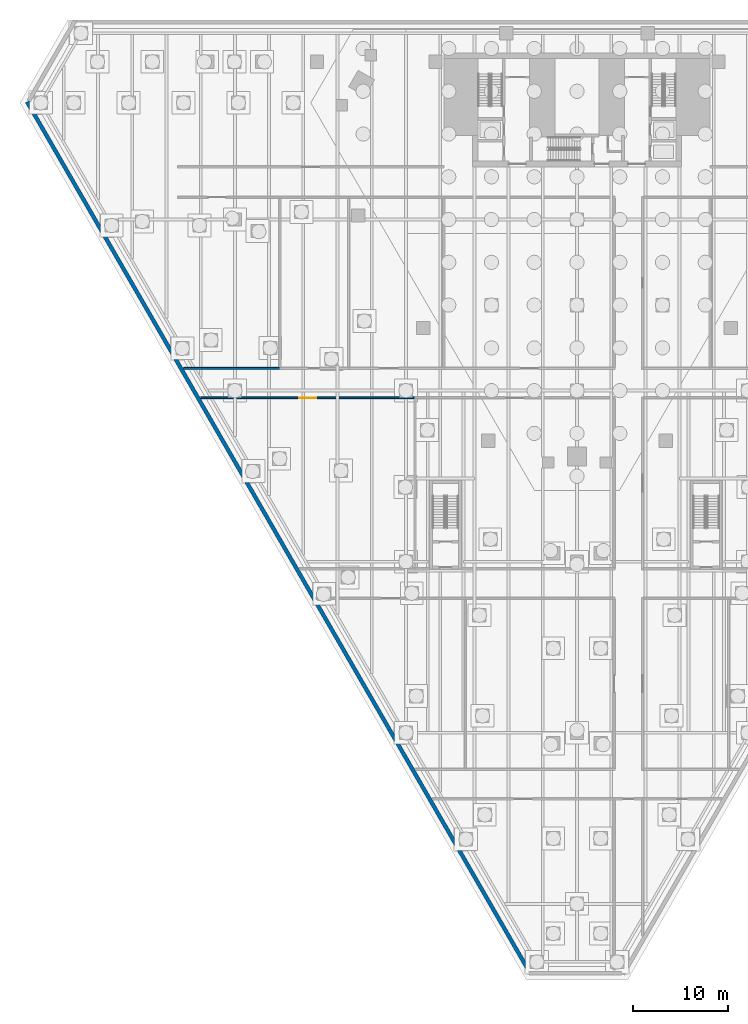
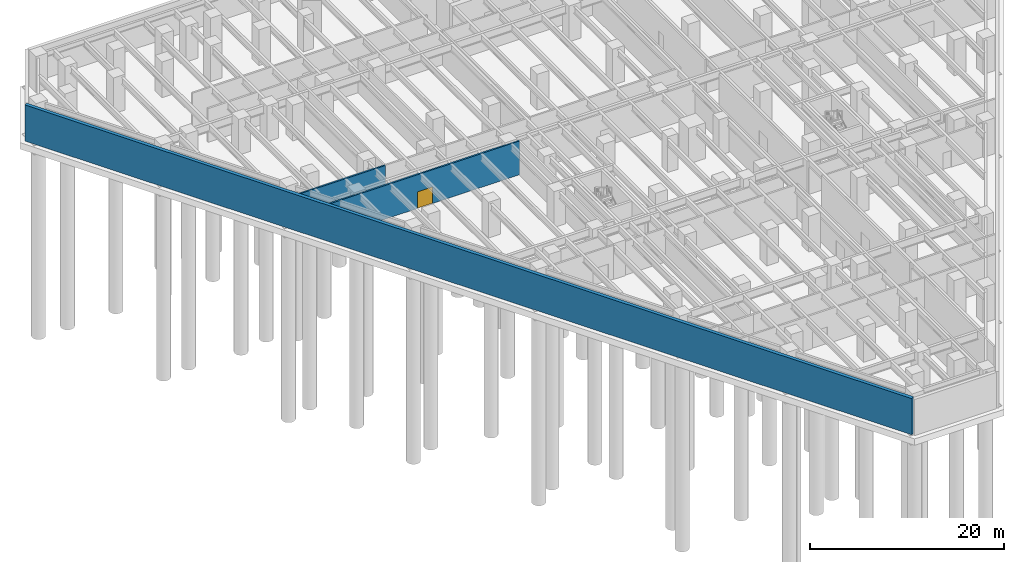
# One storey, part 8 of 18: 3 walls, 1 door, 1 opening.
"""IFC4 building model written with IfcOpenShell, lengths in metres."""

import ifcopenshell
import ifcopenshell.guid

model = None  # the IFC model being written
_history = None  # IfcOwnerHistory: only IFC2X3 demands one
_inside = {}  # id of a spatial element -> (the spatial element, [elements in it])
_under = {}  # id of a project, library or spatial element -> (it, [spatial elements below it])
_declared = {}  # id of a project -> (the project, [libraries it declares])
_typed = {}  # id of a type object -> (the type object, [elements of that type])
_made_of = {}  # id of a material, layer set ... -> (it, [elements and type objects made of it])


def new_model(schema):
    """Start an empty IFC model of exactly this schema.

    Asked for "IFC4X3", IfcOpenShell would pick the latest addendum, in which some entities
    have other attributes; the version numbers below select the first issue.
    IFC2X3 requires an IfcOwnerHistory on every rooted entity: one is made here for all.
    """
    global model, _history
    if schema == "IFC4X3":
        model = ifcopenshell.file(schema_version=(4, 3, 0, 0))
    else:
        model = ifcopenshell.file(schema=schema)
    _inside.clear()
    _under.clear()
    _declared.clear()
    _typed.clear()
    _made_of.clear()
    _history = None
    if model.schema == "IFC2X3":
        org = make("IfcOrganization", Name="unknown")
        user = make(
            "IfcPersonAndOrganization",
            ThePerson=make("IfcPerson", FamilyName="unknown"),
            TheOrganization=org,
        )
        app = make(
            "IfcApplication",
            ApplicationDeveloper=org,
            Version="unknown",
            ApplicationFullName="unknown",
            ApplicationIdentifier="unknown",
        )
        _history = make(
            "IfcOwnerHistory",
            OwningUser=user,
            OwningApplication=app,
            ChangeAction="ADDED",
            CreationDate=0,
        )
    return model


def make(cls, **values):
    """One entity of the class cls with the attributes given. An attribute that is None is left unset."""
    return model.create_entity(
        cls, **{name: value for name, value in values.items() if value is not None}
    )


def rooted(cls, **values):
    """An entity with a GlobalId (a new one), such as an element, a storey or a relation."""
    return make(cls, GlobalId=ifcopenshell.guid.new(), OwnerHistory=_history, **values)


def si_unit(unit_type, name, prefix=None):
    """IfcSIUnit, for example si_unit("LENGTHUNIT", "METRE", prefix="MILLI")."""
    return make("IfcSIUnit", UnitType=unit_type, Prefix=prefix, Name=name)


def assignment(units):
    """IfcUnitAssignment: the units of a project."""
    return None if units is None else make("IfcUnitAssignment", Units=units)


def point(xyz):
    """IfcCartesianPoint."""
    return None if xyz is None else make("IfcCartesianPoint", Coordinates=xyz)


def direction(xyz):
    """IfcDirection."""
    return None if xyz is None else make("IfcDirection", DirectionRatios=xyz)


def frame(location, z_axis=None, x_axis=None):
    """IfcAxis2Placement3D, a coordinate frame: its origin and axes. An axis left out is left unset."""
    return make(
        "IfcAxis2Placement3D",
        Location=point(location),
        Axis=direction(z_axis),
        RefDirection=direction(x_axis),
    )


def frame_2d(location, x_axis=None):
    """IfcAxis2Placement2D, a coordinate frame in the plane: its origin and x axis."""
    return make(
        "IfcAxis2Placement2D", Location=point(location), RefDirection=direction(x_axis)
    )


def origin():
    """The frame at (0, 0, 0) with its axes left unset."""
    return frame((0.0, 0.0, 0.0))


def place(relative_to, where):
    """IfcLocalPlacement: puts the frame where relative to a parent placement (None: the world)."""
    return make(
        "IfcLocalPlacement", PlacementRelTo=relative_to, RelativePlacement=where
    )


def context(
    kind, dimensions, precision=None, world=None, true_north=None, identifier=None
):
    """IfcGeometricRepresentationContext, for example the 3D "Model" context."""
    return make(
        "IfcGeometricRepresentationContext",
        ContextIdentifier=identifier,
        ContextType=kind,
        CoordinateSpaceDimension=dimensions,
        Precision=precision,
        WorldCoordinateSystem=world,
        TrueNorth=true_north,
    )


def subcontext(parent, identifier, kind, view, scale=None):
    """IfcGeometricRepresentationSubContext, for example "Body" below "Model"."""
    return make(
        "IfcGeometricRepresentationSubContext",
        ContextIdentifier=identifier,
        ContextType=kind,
        ParentContext=parent,
        TargetScale=scale,
        TargetView=view,
    )


def project(units=None, contexts=None):
    """IfcProject with its units and contexts."""
    return rooted(
        "IfcProject",
        Name="project",
        RepresentationContexts=contexts,
        UnitsInContext=assignment(units),
    )


def spatial(cls, under=None, at=None, **own):
    """A site, building, storey or space (cls), placed at a placement, below another one or the project."""
    s = rooted(cls, ObjectPlacement=at, **own)
    if under is not None:
        _under.setdefault(under.id(), (under, []))[1].append(s)
    return s


def profile(cls, at=None, kind="AREA", **sizes):
    """A parametric profile (cls). Its sizes go by their IFC names, for example OverallWidth=200.0."""
    return make(cls, ProfileType=kind, Position=at, **sizes)


def rectangle(**sizes):
    """IfcRectangleProfileDef."""
    return profile("IfcRectangleProfileDef", **sizes)


def extrude(swept, where, along, depth):
    """IfcExtrudedAreaSolid: the profile swept, set in the frame where, extruded along a direction by depth."""
    return make(
        "IfcExtrudedAreaSolid",
        SweptArea=swept,
        Position=where,
        ExtrudedDirection=direction(along),
        Depth=depth,
    )


def shape(context_of_items, identifier, shape_type, items):
    """IfcShapeRepresentation: the items that make up one representation, for example the "Body"."""
    return make(
        "IfcShapeRepresentation",
        ContextOfItems=context_of_items,
        RepresentationIdentifier=identifier,
        RepresentationType=shape_type,
        Items=items,
    )


def material(Name=None, Category=None):
    """IfcMaterial."""
    return make("IfcMaterial", Name=Name, Category=Category)


def layer(
    of_material, thickness, ventilated=None, Name=None, Category=None, Priority=None
):
    """IfcMaterialLayer: one layer of a wall or slab, of a material (None: an air gap)."""
    return make(
        "IfcMaterialLayer",
        Material=of_material,
        LayerThickness=thickness,
        IsVentilated=ventilated,
        Name=Name,
        Category=Category,
        Priority=Priority,
    )


def layer_set(layers, Name=None):
    """IfcMaterialLayerSet."""
    return make("IfcMaterialLayerSet", MaterialLayers=layers, LayerSetName=Name)


def made_of(thing, what):
    """Note that an element or type object is made of a material, layer set ...; save() writes the relation."""
    if what is not None:
        _made_of.setdefault(what.id(), (what, []))[1].append(thing)
    return thing


def type_object(cls, material=None, **own):
    """A type object (cls), such as IfcWallType, which elements share."""
    return made_of(rooted(cls, **own), material)


def element(
    cls,
    number,
    at=None,
    inside=None,
    cuts=None,
    type_object=None,
    material=None,
    context=None,
    identifier="Body",
    shape_type=None,
    held_by="IfcProductDefinitionShape",
    body=None,
    shapes=None,
    **own,
):
    """One element of the class cls, such as IfcWall. Its Tag is "e" and its number.

    at: its placement. inside: the storey or other place that contains it. cuts: it is an
    opening in that element (IfcRelVoidsElement). A single representation is given by context,
    identifier, shape_type and body (its items); several are given by shapes. held_by: the class
    of the entity that holds the representations. save() writes the other relations.
    """
    e = rooted(cls, Tag="e%d" % number, ObjectPlacement=at, **own)
    if body is not None:
        shapes = [shape(context, identifier, shape_type, body)]
    if shapes is not None:
        e.Representation = make(held_by, Representations=shapes)
    if inside is not None:
        _inside.setdefault(inside.id(), (inside, []))[1].append(e)
    if cuts is not None:
        rooted(
            "IfcRelVoidsElement", RelatingBuildingElement=cuts, RelatedOpeningElement=e
        )
    if type_object is not None:
        _typed.setdefault(type_object.id(), (type_object, []))[1].append(e)
    return made_of(e, material)


def fill(opening, filler):
    """IfcRelFillsElement: the door or window that sits in an opening."""
    return rooted(
        "IfcRelFillsElement",
        RelatingOpeningElement=opening,
        RelatedBuildingElement=filler,
    )


def aggregate(whole, parts):
    """IfcRelAggregates: a whole, such as a stair, and the parts it consists of."""
    return rooted("IfcRelAggregates", RelatingObject=whole, RelatedObjects=parts)


def save(model, path):
    """Write the relations noted so far, then the file.

    IfcRelAggregates (storeys below a building ...), IfcRelContainedInSpatialStructure (elements
    in a storey), IfcRelDefinesByType, IfcRelAssociatesMaterial and IfcRelDeclares: one each for
    every whole, place, type object, material and project.
    """
    for whole, parts in _under.values():
        aggregate(whole, parts)
    for where, things in _inside.values():
        rooted(
            "IfcRelContainedInSpatialStructure",
            RelatedElements=things,
            RelatingStructure=where,
        )
    for kind, things in _typed.values():
        rooted("IfcRelDefinesByType", RelatedObjects=things, RelatingType=kind)
    for what, things in _made_of.values():
        rooted("IfcRelAssociatesMaterial", RelatedObjects=things, RelatingMaterial=what)
    for by, libraries in _declared.values():
        rooted("IfcRelDeclares", RelatingContext=by, RelatedDefinitions=libraries)
    model.write(path)


model = new_model("IFC4")

# Units and contexts
model_context = context("Model", 3, precision=1e-05, world=origin(), true_north=direction((0.0, 1.0)))
body_context = subcontext(model_context, "Body", "Model", "MODEL_VIEW")
ifc_project = project(units=[si_unit("LENGTHUNIT", "METRE"), si_unit("AREAUNIT", "SQUARE_METRE"), si_unit("VOLUMEUNIT", "CUBIC_METRE"), si_unit("PLANEANGLEUNIT", "RADIAN"), si_unit("MASSUNIT", "GRAM", prefix="KILO")], contexts=[model_context])

# Site, building, storey
site_placement = place(None, origin())
site = spatial("IfcSite", under=ifc_project, at=site_placement, CompositionType="ELEMENT")
building_placement = place(site_placement, origin())
building = spatial("IfcBuilding", under=site, at=building_placement, Name="Aloe Facet Convention Tower", CompositionType="ELEMENT")
storey_placement = place(building_placement, frame((0.0, 0.0, -9.0)))
storey = spatial("IfcBuildingStorey", under=building, at=storey_placement, Name="B2", CompositionType="ELEMENT", Elevation=-9.0)

# Wall, opening, door
ifc_material_1 = material(Name="Masonry blockwork wall, plastered", Category="masonry")
ifc_layer_1 = layer(ifc_material_1, 0.199951171875)
ifc_layer_set_1 = layer_set([ifc_layer_1], Name="IN-POD-W-PLANT")
wall_type_1 = type_object("IfcWallType", Name="IN-POD-W-PLANT", PredefinedType="PARTITIONING", material=ifc_layer_set_1)
wall_1_placement = place(storey_placement, frame((40.405517578125, 98.25, 0.0), z_axis=(0.0, 0.0, 1.0), x_axis=(1.0, 0.0, 0.0)))
wall_1 = element("IfcWall", 1, at=wall_1_placement, inside=storey, type_object=wall_type_1, Name="Partition B2-W027", PredefinedType="PARTITIONING", context=body_context, shape_type="SweptSolid", body=[
    extrude(rectangle(XDim=22.54736328125, YDim=0.199951171875, at=frame_2d((11.273681640625, 0.0))), origin(), (0.0, 0.0, 1.0), 4.25),
])
opening_placement = place(wall_1_placement, frame((10.37353515625, 0.0, 0.0)))
opening = element("IfcOpeningElement", 2, at=opening_placement, cuts=wall_1, Name="Opening B2-011", PredefinedType="OPENING", context=body_context, shape_type="SweptSolid", body=[
    extrude(rectangle(XDim=1.800048828125, YDim=2.10009765625, at=frame_2d((0.89990234375, 1.050048828125))), frame((0.0, 0.10986328125, 0.0), z_axis=(0.0, -1.0, 0.0), x_axis=(1.0, 0.0, 0.0)), (0.0, 0.0, 1.0), 0.219970703125),
])
ifc_material_2 = material(Name="Steel flush door pair, galvanised", Category="steel")
door_type = type_object("IfcDoorType", Name="IN-POD-D-PLANTPAIR", OperationType="DOUBLE_DOOR_SINGLE_SWING", PredefinedType="DOOR", material=ifc_material_2)
door_placement = place(opening_placement, origin())
door = element("IfcDoor", 3, at=door_placement, inside=storey, type_object=door_type, Name="Door B2-011", OperationType="SINGLE_SWING_LEFT", OverallHeight=2.10009765625, OverallWidth=1.800048828125, PredefinedType="DOOR", context=body_context, shape_type="SweptSolid", body=[
    extrude(rectangle(XDim=1.800048828125, YDim=2.10009765625, at=frame_2d((0.89990234375, 1.050048828125))), frame((0.0, 0.02490234375, 0.0), z_axis=(0.0, -1.0, 0.0), x_axis=(1.0, 0.0, 0.0)), (0.0, 0.0, 1.0), 0.050048828125),
])
fill(opening, door)

# Walls
wall_2_placement = place(storey_placement, frame((38.61572265625, 101.35009765625, 0.0), z_axis=(0.0, 0.0, 1.0), x_axis=(1.0, 0.0, 0.0)))
element("IfcWall", 4, at=wall_2_placement, inside=storey, type_object=wall_type_1, Name="Partition B2-W032", PredefinedType="PARTITIONING", context=body_context, shape_type="SweptSolid", body=[
    extrude(rectangle(XDim=10.11767578125, YDim=0.199951171875, at=frame_2d((5.058837890625, 0.0))), origin(), (0.0, 0.0, 1.0), 4.25),
])
ifc_material_3 = material(Name="Concrete C40/50", Category="concrete")
ifc_layer_2 = layer(ifc_material_3, 0.39990234375)
ifc_layer_set_2 = layer_set([ifc_layer_2], Name="SF-RW-400")
wall_type_2 = type_object("IfcWallType", Name="SF-RW-400", PredefinedType="SOLIDWALL", material=ifc_layer_set_2)
wall_3_placement = place(storey_placement, frame((74.970947265625, 37.881103515625, -0.300048828125), z_axis=(0.0, 0.0, 1.0), x_axis=(-0.499999742059, 0.866025552707, 0.0)))
element("IfcWall", 5, at=wall_3_placement, inside=storey, type_object=wall_type_2, Name="RETAINING WALL B2-03", PredefinedType="SOLIDWALL", context=body_context, shape_type="SweptSolid", body=[
    extrude(rectangle(XDim=105.65869140625, YDim=0.39990234375, at=frame_2d((52.829345703125, 0.0))), origin(), (0.0, 0.0, 1.0), 4.550048828125),
])

save(model, "model.ifc")
